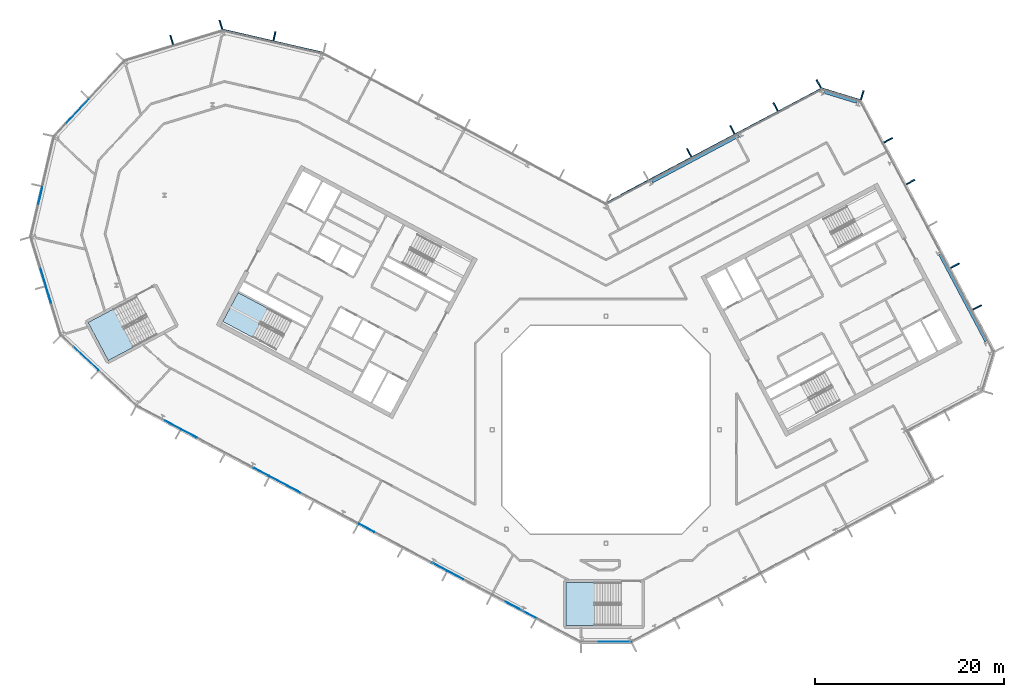
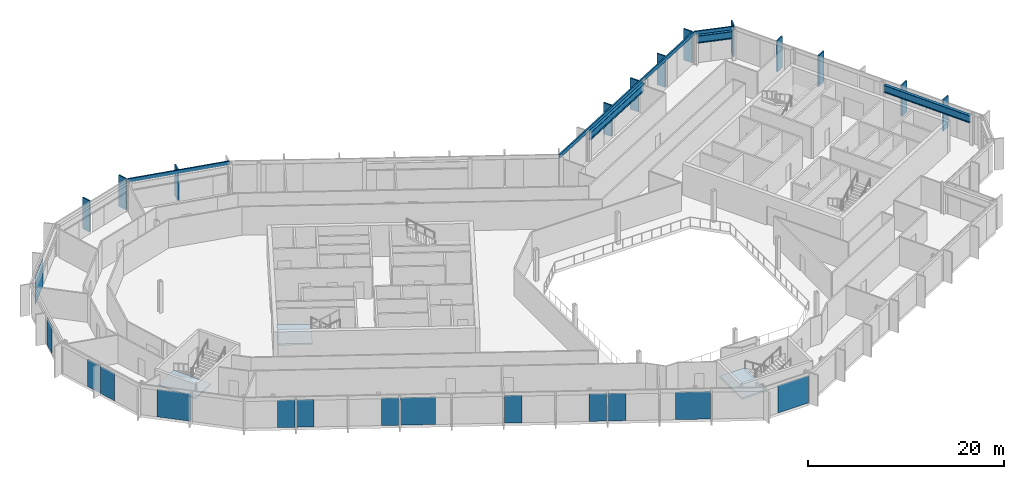
# One storey, part 10 of 26: 15 members, 14 plates, 3 beams, 3 slabs, 14 elements without a shape of their own.
"""IFC4 building model written with IfcOpenShell, lengths in metres."""

from ifc_helpers import new_model, si_unit, direction, frame, origin, origin_2d, place, context, subcontext, project, spatial, polyline, rectangle, i_section, outline, extrude, material, layer, layer_set, material_profile, profile_set, type_object, element, aggregate, save


model = new_model("IFC4")

# Units and contexts
model_context = context("Model", 3, precision=1e-05, world=origin(), true_north=direction((0.0, 1.0)))
body_context = subcontext(model_context, "Body", "Model", "MODEL_VIEW")
ifc_project = project(units=[si_unit("LENGTHUNIT", "METRE"), si_unit("AREAUNIT", "SQUARE_METRE"), si_unit("VOLUMEUNIT", "CUBIC_METRE"), si_unit("PLANEANGLEUNIT", "RADIAN"), si_unit("MASSUNIT", "GRAM", prefix="KILO")], contexts=[model_context])

# Site, building, storey
site_placement = place(None, origin())
site = spatial("IfcSite", under=ifc_project, at=site_placement, CompositionType="ELEMENT")
building_placement = place(site_placement, origin())
building = spatial("IfcBuilding", under=site, at=building_placement, Name="Cormorant Relay Tower", CompositionType="ELEMENT")
storey_placement = place(building_placement, frame((0.0, 0.0, 312.60009765625)))
storey = spatial("IfcBuildingStorey", under=building, at=storey_placement, Name="L71", CompositionType="ELEMENT", Elevation=312.60009765625)

# Curtain wall, members
ifc_material_1 = material(Name="Aluminium 6063-T6 anodised bronze", Category="aluminium")
ifc_layer_1 = layer(ifc_material_1, 0.199951171875)
ifc_layer_set_1 = layer_set([ifc_layer_1], Name="CW1 unitised bronze curtain wall with vertical fins")
curtain_wall_type = type_object("IfcCurtainWallType", Name="CW1 unitised bronze curtain wall with vertical fins", PredefinedType="NOTDEFINED", material=ifc_layer_set_1)
curtain_wall_1_placement = place(storey_placement, origin())
curtain_wall_1 = element("IfcCurtainWall", 1, at=curtain_wall_1_placement, inside=storey, type_object=curtain_wall_type, Name="CW1 curtain wall 6", PredefinedType="NOTDEFINED")
ifc_material_2 = material(Name="Aluminium 6063-T6 anodised bronze", Category="aluminium")
ifc_material_profile_1 = material_profile(ifc_material_2, rectangle(XDim=0.14990234375, YDim=1.0, at=origin_2d()), Name="AL 150x1000")
ifc_profile_set_1 = profile_set([ifc_material_profile_1], Name="Aluminium 6063-T6 anodised bronze")
member_type_1 = type_object("IfcMemberType", Name="CW1 bronze fin mullion 150 x 1000", PredefinedType="MULLION", material=ifc_profile_set_1)
member_1_placement = place(storey_placement, frame((39.222412109375, 12.927001953125, 0.0), z_axis=(0.0, 0.0, 1.0), x_axis=(-0.469471562786, 0.882947592859, 0.0)))
member_1 = element("IfcMember", 2, at=member_1_placement, type_object=member_type_1, Name="CW1 fin 6.2", PredefinedType="MULLION", context=body_context, shape_type="SweptSolid", body=[
    extrude(rectangle(XDim=0.14990234375, YDim=1.0, at=origin_2d()), origin(), (0.0, 0.0, 1.0), 3.89990234375),
])
member_2_placement = place(storey_placement, frame((36.875, 17.341552734375, 0.0), z_axis=(0.0, 0.0, 1.0), x_axis=(-0.469471562786, 0.882947592859, 0.0)))
member_2 = element("IfcMember", 3, at=member_2_placement, type_object=member_type_1, Name="CW1 fin 6.3", PredefinedType="MULLION", context=body_context, shape_type="SweptSolid", body=[
    extrude(rectangle(XDim=0.14990234375, YDim=1.0, at=origin_2d()), origin(), (0.0, 0.0, 1.0), 3.89990234375),
])
member_3_placement = place(storey_placement, frame((32.18017578125, 26.171142578125, 0.0), z_axis=(0.0, 0.0, 1.0), x_axis=(-0.469471562786, 0.882947592859, 0.0)))
member_3 = element("IfcMember", 4, at=member_3_placement, type_object=member_type_1, Name="CW1 fin 6.5", PredefinedType="MULLION", context=body_context, shape_type="SweptSolid", body=[
    extrude(rectangle(XDim=0.14990234375, YDim=1.0, at=origin_2d()), origin(), (0.0, 0.0, 1.0), 3.89990234375),
])
member_4_placement = place(storey_placement, frame((29.832763671875, 30.585693359375, 0.0), z_axis=(0.0, 0.0, 1.0), x_axis=(-0.469471562786, 0.882947592859, 0.0)))
member_4 = element("IfcMember", 5, at=member_4_placement, type_object=member_type_1, Name="CW1 fin 6.6", PredefinedType="MULLION", context=body_context, shape_type="SweptSolid", body=[
    extrude(rectangle(XDim=0.14990234375, YDim=1.0, at=origin_2d()), origin(), (0.0, 0.0, 1.0), 3.89990234375),
])
aggregate(curtain_wall_1, [member_1, member_2, member_3, member_4])

# Curtain wall, member
curtain_wall_2_placement = place(storey_placement, origin())
curtain_wall_2 = element("IfcCurtainWall", 6, at=curtain_wall_2_placement, inside=storey, type_object=curtain_wall_type, Name="CW1 curtain wall 7", PredefinedType="NOTDEFINED")
member_5_placement = place(storey_placement, frame((27.072021484375, 35.34130859375, 0.0), z_axis=(0.0, 0.0, 1.0), x_axis=(-0.956304755963, 0.292371704723, 0.0)))
member_5 = element("IfcMember", 7, at=member_5_placement, type_object=member_type_1, Name="CW1 fin 7.1", PredefinedType="MULLION", context=body_context, shape_type="SweptSolid", body=[
    extrude(rectangle(XDim=0.14990234375, YDim=1.0, at=origin_2d()), origin(), (0.0, 0.0, 1.0), 3.89990234375),
])

# Curtain wall, members
curtain_wall_3_placement = place(storey_placement, origin())
curtain_wall_3 = element("IfcCurtainWall", 8, at=curtain_wall_3_placement, inside=storey, type_object=curtain_wall_type, Name="CW1 curtain wall 8", PredefinedType="NOTDEFINED")
member_6_placement = place(storey_placement, frame((22.4814453125, 36.530517578125, 0.0), z_axis=(0.0, 0.0, 1.0), x_axis=(-0.882947592859, -0.469471562786, 0.0)))
member_6 = element("IfcMember", 9, at=member_6_placement, type_object=member_type_1, Name="CW1 fin 8.1", PredefinedType="MULLION", context=body_context, shape_type="SweptSolid", body=[
    extrude(rectangle(XDim=0.14990234375, YDim=1.0, at=origin_2d()), origin(), (0.0, 0.0, 1.0), 3.89990234375),
])
member_7_placement = place(storey_placement, frame((17.91943359375, 34.104736328125, 0.0), z_axis=(0.0, 0.0, 1.0), x_axis=(-0.882947592859, -0.469471562786, 0.0)))
member_7 = element("IfcMember", 10, at=member_7_placement, type_object=member_type_1, Name="CW1 fin 8.2", PredefinedType="MULLION", context=body_context, shape_type="SweptSolid", body=[
    extrude(rectangle(XDim=0.14990234375, YDim=1.0, at=origin_2d()), origin(), (0.0, 0.0, 1.0), 3.89990234375),
])
member_8_placement = place(storey_placement, frame((13.357421875, 31.67919921875, 0.0), z_axis=(0.0, 0.0, 1.0), x_axis=(-0.882947592859, -0.469471562786, 0.0)))
member_8 = element("IfcMember", 11, at=member_8_placement, type_object=member_type_1, Name="CW1 fin 8.3", PredefinedType="MULLION", context=body_context, shape_type="SweptSolid", body=[
    extrude(rectangle(XDim=0.14990234375, YDim=1.0, at=origin_2d()), origin(), (0.0, 0.0, 1.0), 3.89990234375),
])
member_9_placement = place(storey_placement, frame((8.79541015625, 29.25341796875, 0.0), z_axis=(0.0, 0.0, 1.0), x_axis=(-0.882947592859, -0.469471562786, 0.0)))
member_9 = element("IfcMember", 12, at=member_9_placement, type_object=member_type_1, Name="CW1 fin 8.4", PredefinedType="MULLION", context=body_context, shape_type="SweptSolid", body=[
    extrude(rectangle(XDim=0.14990234375, YDim=1.0, at=origin_2d()), origin(), (0.0, 0.0, 1.0), 3.89990234375),
])

# Curtain wall, member
curtain_wall_4_placement = place(storey_placement, origin())
curtain_wall_4 = element("IfcCurtainWall", 13, at=curtain_wall_4_placement, inside=storey, type_object=curtain_wall_type, Name="CW1 curtain wall 10", PredefinedType="NOTDEFINED")
member_10_placement = place(storey_placement, frame((-35.01220703125, 41.57275390625, 0.0), z_axis=(0.0, 0.0, 1.0), x_axis=(-0.974370064785, 0.224951054344, 0.0)))
member_10 = element("IfcMember", 14, at=member_10_placement, type_object=member_type_1, Name="CW1 fin 10.2", PredefinedType="MULLION", context=body_context, shape_type="SweptSolid", body=[
    extrude(rectangle(XDim=0.14990234375, YDim=1.0, at=origin_2d()), origin(), (0.0, 0.0, 1.0), 3.89990234375),
])

# Curtain wall, members
curtain_wall_5_placement = place(storey_placement, origin())
curtain_wall_5 = element("IfcCurtainWall", 15, at=curtain_wall_5_placement, inside=storey, type_object=curtain_wall_type, Name="CW1 curtain wall 11", PredefinedType="NOTDEFINED")
member_11_placement = place(storey_placement, frame((-40.670166015625, 42.78271484375, 0.0), z_axis=(0.0, 0.0, 1.0), x_axis=(-0.956304755963, -0.292371704723, 0.0)))
member_11 = element("IfcMember", 16, at=member_11_placement, type_object=member_type_1, Name="CW1 fin 11.1", PredefinedType="MULLION", context=body_context, shape_type="SweptSolid", body=[
    extrude(rectangle(XDim=0.14990234375, YDim=1.0, at=origin_2d()), origin(), (0.0, 0.0, 1.0), 3.89990234375),
])
member_12_placement = place(storey_placement, frame((-45.867919921875, 41.193603515625, 0.0), z_axis=(0.0, 0.0, 1.0), x_axis=(-0.956304755963, -0.292371704723, 0.0)))
member_12 = element("IfcMember", 17, at=member_12_placement, type_object=member_type_1, Name="CW1 fin 11.2", PredefinedType="MULLION", context=body_context, shape_type="SweptSolid", body=[
    extrude(rectangle(XDim=0.14990234375, YDim=1.0, at=origin_2d()), origin(), (0.0, 0.0, 1.0), 3.89990234375),
])
aggregate(curtain_wall_5, [member_11, member_12])

# Member
ifc_material_3 = material(Name="Aluminium 6063-T6 anodised bronze", Category="aluminium")
ifc_material_profile_2 = material_profile(ifc_material_3, rectangle(XDim=0.159912109375, YDim=0.449951171875, at=origin_2d()), Name="AL 160x450")
ifc_profile_set_2 = profile_set([ifc_material_profile_2], Name="Aluminium 6063-T6 anodised bronze")
member_type_2 = type_object("IfcMemberType", Name="CW1 bronze transom 160 x 450", PredefinedType="USERDEFINED", material=ifc_profile_set_2)
member_13_placement = place(storey_placement, frame((26.902587890625, 34.78662109375, 3.6748046875), z_axis=(-0.956303761594, 0.292374957137, 0.0), x_axis=(-0.292374957137, -0.956303761594, 0.0)))
member_13 = element("IfcMember", 18, at=member_13_placement, type_object=member_type_2, Name="CW1 transom 7", ObjectType="TRANSOM", PredefinedType="USERDEFINED", context=body_context, shape_type="SweptSolid", body=[
    extrude(rectangle(XDim=0.159912109375, YDim=0.449951171875, at=origin_2d()), origin(), (0.0, 0.0, 1.0), 4.24267578125),
])

aggregate(curtain_wall_2, [member_5, member_13])

member_14_placement = place(storey_placement, frame((22.75390625, 36.018310546875, 3.6748046875), z_axis=(-0.882948156597, -0.469470502547, 0.0), x_axis=(0.469470502547, -0.882948156597, 0.0)))
member_14 = element("IfcMember", 19, at=member_14_placement, type_object=member_type_2, Name="CW1 transom 8", ObjectType="TRANSOM", PredefinedType="USERDEFINED", context=body_context, shape_type="SweptSolid", body=[
    extrude(rectangle(XDim=0.159912109375, YDim=0.449951171875, at=origin_2d()), origin(), (0.0, 0.0, 1.0), 25.834228515625),
])

aggregate(curtain_wall_3, [member_6, member_7, member_8, member_9, member_14])

member_15_placement = place(storey_placement, frame((-29.8466796875, 39.784912109375, 3.6748046875), z_axis=(-0.974365070969, 0.224972683844, 0.0), x_axis=(-0.224972683844, -0.974365070969, 0.0)))
member_15 = element("IfcMember", 20, at=member_15_placement, type_object=member_type_2, Name="CW1 transom 10", ObjectType="TRANSOM", PredefinedType="USERDEFINED", context=body_context, shape_type="SweptSolid", body=[
    extrude(rectangle(XDim=0.159912109375, YDim=0.449951171875, at=origin_2d()), origin(), (0.0, 0.0, 1.0), 10.870361328125),
])

aggregate(curtain_wall_4, [member_10, member_15])

# Beams
ifc_material_4 = material(Name="Steel ASTM A992 (Fy 345 MPa)", Category="steel")
ifc_material_profile_3 = material_profile(ifc_material_4, i_section(OverallWidth=0.307373046875, OverallDepth=0.927001953125, WebThickness=0.019287109375, FlangeThickness=0.031982421875, FilletRadius=0.01904296875, at=origin_2d()), Name="W920x289")
ifc_profile_set_3 = profile_set([ifc_material_profile_3], Name="Steel ASTM A992 (Fy 345 MPa)")
beam_type = type_object("IfcBeamType", Name="Spandrel W920x289", PredefinedType="SPANDREL", material=ifc_profile_set_3)
beam_1_placement = place(storey_placement, frame((40.1591796875, 9.3466796875, 3.076416015625), z_axis=(-0.469474391681, 0.882946088703, 0.0), x_axis=(-0.882946088703, -0.469474391681, 0.0)))
element("IfcBeam", 21, at=beam_1_placement, inside=storey, type_object=beam_type, Name="Spandrel beam L71-006", PredefinedType="SPANDREL", context=body_context, shape_type="SweptSolid", body=[
    extrude(i_section(OverallWidth=0.307373046875, OverallDepth=0.927001953125, WebThickness=0.019287109375, FlangeThickness=0.031982421875, FilletRadius=0.01904296875, at=origin_2d()), origin(), (0.0, 0.0, 1.0), 10.401611328125),
])
beam_2_placement = place(storey_placement, frame((26.512451171875, 34.619873046875, 3.076416015625), z_axis=(-0.956313678807, 0.292342517821, 0.0), x_axis=(-0.292342517821, -0.956313678807, 0.0)))
element("IfcBeam", 22, at=beam_2_placement, inside=storey, type_object=beam_type, Name="Spandrel beam L71-007", PredefinedType="SPANDREL", context=body_context, shape_type="SweptSolid", body=[
    extrude(i_section(OverallWidth=0.307373046875, OverallDepth=0.927001953125, WebThickness=0.019287109375, FlangeThickness=0.031982421875, FilletRadius=0.01904296875, at=origin_2d()), origin(), (0.0, 0.0, 1.0), 3.65185546875),
])
beam_3_placement = place(storey_placement, frame((14.05322265625, 31.082275390625, 3.076416015625), z_axis=(-0.882950644937, -0.469465822617, 0.0), x_axis=(0.469465822617, -0.882950644937, 0.0)))
element("IfcBeam", 23, at=beam_3_placement, inside=storey, type_object=beam_type, Name="Spandrel beam L71-008", PredefinedType="SPANDREL", context=body_context, shape_type="SweptSolid", body=[
    extrude(i_section(OverallWidth=0.307373046875, OverallDepth=0.927001953125, WebThickness=0.019287109375, FlangeThickness=0.031982421875, FilletRadius=0.01904296875, at=origin_2d()), origin(), (0.0, 0.0, 1.0), 10.4013671875),
])

# Curtain wall, plate
curtain_wall_6_placement = place(storey_placement, origin())
curtain_wall_6 = element("IfcCurtainWall", 24, at=curtain_wall_6_placement, inside=storey, type_object=curtain_wall_type, Name="CW1 curtain wall 13", PredefinedType="NOTDEFINED")
ifc_material_5 = material(Name="Tinted laminated glass", Category="glass")
ifc_layer_2 = layer(ifc_material_5, 0.0400390625)
ifc_layer_set_2 = layer_set([ifc_layer_2], Name="CW1 tinted vision panel 1800 module")
plate_type_1 = type_object("IfcPlateType", Name="CW1 tinted vision panel 1800 module", PredefinedType="CURTAIN_PANEL", material=ifc_layer_set_2)
plate_1_placement = place(storey_placement, frame((-59.736083984375, 24.74365234375, 0.0), z_axis=(0.0, 0.0, 1.0), x_axis=(-0.224951054344, -0.974370064785, 0.0)))
plate_1 = element("IfcPlate", 25, at=plate_1_placement, type_object=plate_type_1, Name="CW1 panel V01", PredefinedType="CURTAIN_PANEL", context=body_context, shape_type="SweptSolid", body=[
    extrude(rectangle(XDim=1.800048828125, YDim=0.0400390625, at=origin_2d()), origin(), (0.0, 0.0, 1.0), 3.449951171875),
])
aggregate(curtain_wall_6, [plate_1])

# Curtain wall, plates
curtain_wall_7_placement = place(storey_placement, origin())
curtain_wall_7 = element("IfcCurtainWall", 26, at=curtain_wall_7_placement, inside=storey, type_object=curtain_wall_type, Name="CW1 curtain wall 14", PredefinedType="NOTDEFINED")
plate_2_placement = place(storey_placement, frame((-59.434814453125, 16.122314453125, 0.0), z_axis=(0.0, 0.0, 1.0), x_axis=(0.292371704723, -0.956304755963, 0.0)))
plate_2 = element("IfcPlate", 27, at=plate_2_placement, type_object=plate_type_1, Name="CW1 panel V01", PredefinedType="CURTAIN_PANEL", context=body_context, shape_type="SweptSolid", body=[
    extrude(rectangle(XDim=1.800048828125, YDim=0.0400390625, at=origin_2d()), origin(), (0.0, 0.0, 1.0), 3.449951171875),
])
plate_3_placement = place(storey_placement, frame((-58.86474609375, 14.25732421875, 0.0), z_axis=(0.0, 0.0, 1.0), x_axis=(0.292371704723, -0.956304755963, 0.0)))
plate_3 = element("IfcPlate", 28, at=plate_3_placement, type_object=plate_type_1, Name="CW1 panel V02", PredefinedType="CURTAIN_PANEL", context=body_context, shape_type="SweptSolid", body=[
    extrude(rectangle(XDim=1.800048828125, YDim=0.0400390625, at=origin_2d()), origin(), (0.0, 0.0, 1.0), 3.449951171875),
])
aggregate(curtain_wall_7, [plate_2, plate_3])

curtain_wall_8_placement = place(storey_placement, origin())
curtain_wall_8 = element("IfcCurtainWall", 29, at=curtain_wall_8_placement, inside=storey, type_object=curtain_wall_type, Name="CW1 curtain wall 16", PredefinedType="NOTDEFINED")
plate_4_placement = place(storey_placement, frame((-45.767578125, 0.5283203125, 0.0), z_axis=(0.0, 0.0, 1.0), x_axis=(0.882947592859, -0.469471562786, 0.0)))
plate_4 = element("IfcPlate", 30, at=plate_4_placement, type_object=plate_type_1, Name="CW1 panel V01", PredefinedType="CURTAIN_PANEL", context=body_context, shape_type="SweptSolid", body=[
    extrude(rectangle(XDim=1.800048828125, YDim=0.0400390625, at=origin_2d()), origin(), (0.0, 0.0, 1.0), 3.449951171875),
])
plate_5_placement = place(storey_placement, frame((-44.0458984375, -0.38720703125, 0.0), z_axis=(0.0, 0.0, 1.0), x_axis=(0.882947592859, -0.469471562786, 0.0)))
plate_5 = element("IfcPlate", 31, at=plate_5_placement, type_object=plate_type_1, Name="CW1 panel V02", PredefinedType="CURTAIN_PANEL", context=body_context, shape_type="SweptSolid", body=[
    extrude(rectangle(XDim=1.800048828125, YDim=0.0400390625, at=origin_2d()), origin(), (0.0, 0.0, 1.0), 3.449951171875),
])
plate_6_placement = place(storey_placement, frame((-36.37890625, -4.463623046875, 0.0), z_axis=(0.0, 0.0, 1.0), x_axis=(0.882947592859, -0.469471562786, 0.0)))
plate_6 = element("IfcPlate", 32, at=plate_6_placement, type_object=plate_type_1, Name="CW1 panel V04", PredefinedType="CURTAIN_PANEL", context=body_context, shape_type="SweptSolid", body=[
    extrude(rectangle(XDim=1.800048828125, YDim=0.0400390625, at=origin_2d()), origin(), (0.0, 0.0, 1.0), 3.449951171875),
])
plate_7_placement = place(storey_placement, frame((-25.268798828125, -10.37109375, 0.0), z_axis=(0.0, 0.0, 1.0), x_axis=(0.882947592859, -0.469471562786, 0.0)))
plate_7 = element("IfcPlate", 33, at=plate_7_placement, type_object=plate_type_1, Name="CW1 panel V07", PredefinedType="CURTAIN_PANEL", context=body_context, shape_type="SweptSolid", body=[
    extrude(rectangle(XDim=1.800048828125, YDim=0.0400390625, at=origin_2d()), origin(), (0.0, 0.0, 1.0), 3.449951171875),
])
plate_8_placement = place(storey_placement, frame((-17.601806640625, -14.447509765625, 0.0), z_axis=(0.0, 0.0, 1.0), x_axis=(0.882947592859, -0.469471562786, 0.0)))
plate_8 = element("IfcPlate", 34, at=plate_8_placement, type_object=plate_type_1, Name="CW1 panel V09", PredefinedType="CURTAIN_PANEL", context=body_context, shape_type="SweptSolid", body=[
    extrude(rectangle(XDim=1.800048828125, YDim=0.0400390625, at=origin_2d()), origin(), (0.0, 0.0, 1.0), 3.449951171875),
])
plate_9_placement = place(storey_placement, frame((-15.880126953125, -15.363037109375, 0.0), z_axis=(0.0, 0.0, 1.0), x_axis=(0.882947592859, -0.469471562786, 0.0)))
plate_9 = element("IfcPlate", 35, at=plate_9_placement, type_object=plate_type_1, Name="CW1 panel V10", PredefinedType="CURTAIN_PANEL", context=body_context, shape_type="SweptSolid", body=[
    extrude(rectangle(XDim=1.800048828125, YDim=0.0400390625, at=origin_2d()), origin(), (0.0, 0.0, 1.0), 3.449951171875),
])

# Curtain wall, plate
curtain_wall_9_placement = place(storey_placement, origin())
curtain_wall_9 = element("IfcCurtainWall", 36, at=curtain_wall_9_placement, inside=storey, type_object=curtain_wall_type, Name="CW1 curtain wall 1", PredefinedType="NOTDEFINED")
ifc_material_6 = material(Name="Tinted laminated glass", Category="glass")
ifc_layer_3 = layer(ifc_material_6, 0.0400390625)
ifc_layer_set_3 = layer_set([ifc_layer_3], Name="CW1 tinted vision panel 3600 module")
plate_type_2 = type_object("IfcPlateType", Name="CW1 tinted vision panel 3600 module", PredefinedType="CURTAIN_PANEL", material=ifc_layer_set_3)
plate_10_placement = place(storey_placement, frame((0.848876953125, -22.3955078125, 0.0), z_axis=(0.0, 0.0, 1.0), x_axis=(1.0, 0.0, 0.0)))
plate_10 = element("IfcPlate", 37, at=plate_10_placement, type_object=plate_type_2, Name="CW1 panel V01", PredefinedType="CURTAIN_PANEL", context=body_context, shape_type="SweptSolid", body=[
    extrude(rectangle(XDim=3.60009765625, YDim=0.0400390625, at=origin_2d()), origin(), (0.0, 0.0, 1.0), 3.449951171875),
])
aggregate(curtain_wall_9, [plate_10])

curtain_wall_10_placement = place(storey_placement, origin())
curtain_wall_10 = element("IfcCurtainWall", 38, at=curtain_wall_10_placement, inside=storey, type_object=curtain_wall_type, Name="CW1 curtain wall 12", PredefinedType="NOTDEFINED")
plate_11_placement = place(storey_placement, frame((-55.861083984375, 33.6025390625, 0.0), z_axis=(0.0, 0.0, 1.0), x_axis=(-0.681998360062, -0.731353701619, 0.0)))
plate_11 = element("IfcPlate", 39, at=plate_11_placement, type_object=plate_type_2, Name="CW1 panel V02", PredefinedType="CURTAIN_PANEL", context=body_context, shape_type="SweptSolid", body=[
    extrude(rectangle(XDim=3.60009765625, YDim=0.0400390625, at=origin_2d()), origin(), (0.0, 0.0, 1.0), 3.449951171875),
])
aggregate(curtain_wall_10, [plate_11])

curtain_wall_11_placement = place(storey_placement, origin())
curtain_wall_11 = element("IfcCurtainWall", 40, at=curtain_wall_11_placement, inside=storey, type_object=curtain_wall_type, Name="CW1 curtain wall 15", PredefinedType="NOTDEFINED")
plate_12_placement = place(storey_placement, frame((-54.951416015625, 7.55517578125, 0.0), z_axis=(0.0, 0.0, 1.0), x_axis=(0.731353701619, -0.681998360062, 0.0)))
plate_12 = element("IfcPlate", 41, at=plate_12_placement, type_object=plate_type_2, Name="CW1 panel V01", PredefinedType="CURTAIN_PANEL", context=body_context, shape_type="SweptSolid", body=[
    extrude(rectangle(XDim=3.60009765625, YDim=0.0400390625, at=origin_2d()), origin(), (0.0, 0.0, 1.0), 3.449951171875),
])
aggregate(curtain_wall_11, [plate_12])

# Plate
plate_13_placement = place(storey_placement, frame((-33.862548828125, -5.801513671875, 0.0), z_axis=(0.0, 0.0, 1.0), x_axis=(0.882947592859, -0.469471562786, 0.0)))
plate_13 = element("IfcPlate", 42, at=plate_13_placement, type_object=plate_type_2, Name="CW1 panel V05", PredefinedType="CURTAIN_PANEL", context=body_context, shape_type="SweptSolid", body=[
    extrude(rectangle(XDim=3.60009765625, YDim=0.0400390625, at=origin_2d()), origin(), (0.0, 0.0, 1.0), 3.449951171875),
])

plate_14_placement = place(storey_placement, frame((-9.008056640625, -19.01708984375, 0.0), z_axis=(0.0, 0.0, 1.0), x_axis=(0.882947592859, -0.469471562786, 0.0)))
plate_14 = element("IfcPlate", 43, at=plate_14_placement, type_object=plate_type_2, Name="CW1 panel V12", PredefinedType="CURTAIN_PANEL", context=body_context, shape_type="SweptSolid", body=[
    extrude(rectangle(XDim=3.60009765625, YDim=0.0400390625, at=origin_2d()), origin(), (0.0, 0.0, 1.0), 3.449951171875),
])

aggregate(curtain_wall_8, [plate_4, plate_5, plate_6, plate_13, plate_7, plate_8, plate_9, plate_14])

# Stair, slab
ifc_material_7 = material(Name="Concrete 40 MPa", Category="concrete")
stair_type_1 = type_object("IfcStairType", Name="Exit stair 1500", PredefinedType="HALF_TURN_STAIR", material=ifc_material_7)
stair_1_placement = place(storey_placement, origin())
stair_1 = element("IfcStair", 44, at=stair_1_placement, inside=storey, type_object=stair_type_1, Name="L71 Stair", PredefinedType="HALF_TURN_STAIR")
ifc_material_8 = material(Name="Concrete 40 MPa", Category="concrete")
ifc_layer_4 = layer(ifc_material_8, 0.199951171875)
ifc_layer_set_4 = layer_set([ifc_layer_4], Name="Exit stair landing 200")
slab_type = type_object("IfcSlabType", Name="Exit stair landing 200", PredefinedType="LANDING", material=ifc_layer_set_4)
slab_1_placement = place(storey_placement, frame((0.0, 0.0, 1.75)))
slab_1 = element("IfcSlab", 45, at=slab_1_placement, type_object=slab_type, Name="A2 landing 1", PredefinedType="LANDING", context=body_context, shape_type="SweptSolid", body=[
    extrude(outline(polyline([(-35.71337890625, 12.816650390625), (-38.84765625, 14.483154296875), (-40.467529296875, 11.43701171875), (-37.3330078125, 9.7705078125), (-35.71337890625, 12.816650390625)])), origin(), (0.0, 0.0, 1.0), 0.199951171875),
])
aggregate(stair_1, [slab_1])

ifc_material_9 = material(Name="Concrete 40 MPa", Category="concrete")
stair_type_2 = type_object("IfcStairType", Name="Remote exit stair 2200", PredefinedType="HALF_TURN_STAIR", material=ifc_material_9)
stair_2_placement = place(storey_placement, origin())
stair_2 = element("IfcStair", 46, at=stair_2_placement, inside=storey, type_object=stair_type_2, Name="L71 Stair", PredefinedType="HALF_TURN_STAIR")
slab_2_placement = place(storey_placement, frame((0.0, 0.0, 1.75)))
slab_2 = element("IfcSlab", 47, at=slab_2_placement, type_object=slab_type, Name="RK1 landing 1", PredefinedType="LANDING", context=body_context, shape_type="SweptSolid", body=[
    extrude(outline(polyline([(-1.199951171875, -16.125), (-4.199951171875, -16.125), (-4.199951171875, -20.675048828125), (-1.199951171875, -20.675048828125), (-1.199951171875, -16.125)])), origin(), (0.0, 0.0, 1.0), 0.199951171875),
])
aggregate(stair_2, [slab_2])

stair_3_placement = place(storey_placement, origin())
stair_3 = element("IfcStair", 48, at=stair_3_placement, inside=storey, type_object=stair_type_2, Name="L71 Stair", PredefinedType="HALF_TURN_STAIR")
slab_3_placement = place(storey_placement, frame((0.0, 0.0, 1.75)))
slab_3 = element("IfcSlab", 49, at=slab_3_placement, type_object=slab_type, Name="RP1 landing 1", PredefinedType="LANDING", context=body_context, shape_type="SweptSolid", body=[
    extrude(outline(polyline([(-52.051025390625, 12.7392578125), (-54.699951171875, 11.330810546875), (-52.563720703125, 7.3134765625), (-49.914794921875, 8.721923828125), (-52.051025390625, 12.7392578125)])), origin(), (0.0, 0.0, 1.0), 0.199951171875),
])
aggregate(stair_3, [slab_3])

save(model, "model.ifc")
